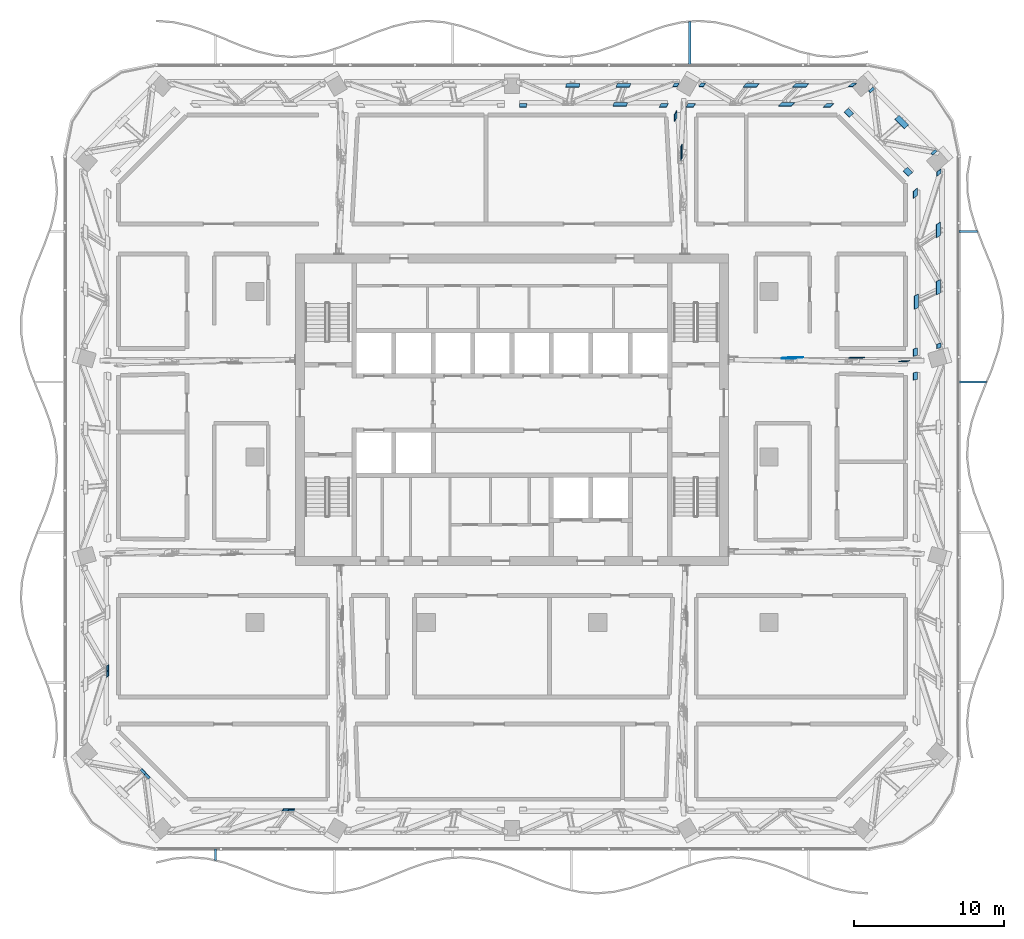
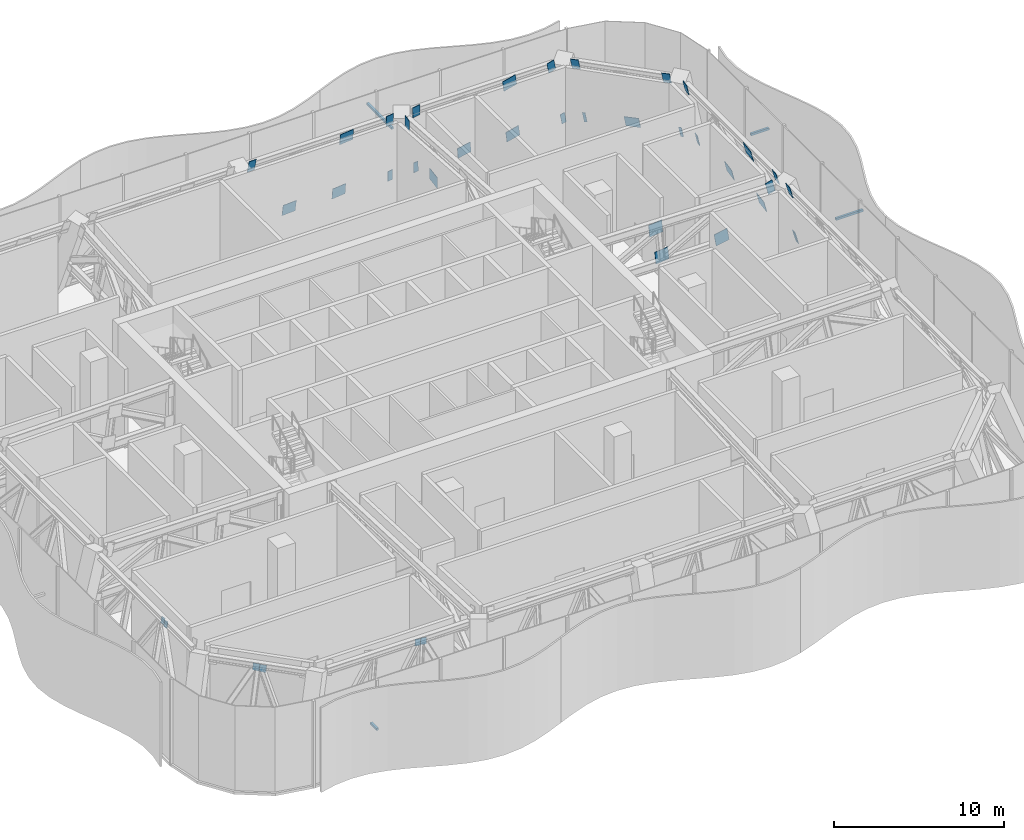
# One storey, part 18 of 29: 42 discrete accessories.
"""IFC4 building model written with IfcOpenShell, lengths in metres."""

from ifc_helpers import new_model, si_unit, direction, frame, origin, origin_2d, place, context, subcontext, project, spatial, rectangle, extrude, material, layer, layer_set, type_object, element, save


model = new_model("IFC4")

# Units and contexts
model_context = context("Model", 3, precision=1e-05, world=origin(), true_north=direction((0.0, 1.0)))
body_context = subcontext(model_context, "Body", "Model", "MODEL_VIEW")
ifc_project = project(units=[si_unit("LENGTHUNIT", "METRE"), si_unit("AREAUNIT", "SQUARE_METRE"), si_unit("VOLUMEUNIT", "CUBIC_METRE"), si_unit("PLANEANGLEUNIT", "RADIAN"), si_unit("MASSUNIT", "GRAM", prefix="KILO")], contexts=[model_context])

# Site, building, storey
site_placement = place(None, origin())
site = spatial("IfcSite", under=ifc_project, at=site_placement, CompositionType="ELEMENT")
building_placement = place(site_placement, origin())
building = spatial("IfcBuilding", under=site, at=building_placement, Name="Mopane Tessera Tower", CompositionType="ELEMENT")
storey_placement = place(building_placement, frame((0.0, 0.0, 315.39990234375)))
storey = spatial("IfcBuildingStorey", under=building, at=storey_placement, Name="L69", CompositionType="ELEMENT", Elevation=315.39990234375)

# Discrete accessories
ifc_material_1 = material(Name="Stainless steel S316", Category="steel")
discrete_accessory_type_1 = type_object("IfcDiscreteAccessoryType", Name="Louvre bracket 150 x 150", PredefinedType="BRACKET", material=ifc_material_1)
discrete_accessory_1_placement = place(storey_placement, frame((-19.708251953125, -26.431640625, 2.5400390625), z_axis=(0.0, 0.0, 1.0), x_axis=(0.0, -1.0, 0.0)))
element("IfcDiscreteAccessory", 1, at=discrete_accessory_1_placement, inside=storey, type_object=discrete_accessory_type_1, Name="e:lv:L69:S:0:br0", PredefinedType="BRACKET", context=body_context, shape_type="SweptSolid", body=[
    extrude(rectangle(XDim=0.7431640625, YDim=0.14990234375, at=origin_2d()), origin(), (0.0, 0.0, 1.0), 0.14990234375),
])
discrete_accessory_2_placement = place(storey_placement, frame((30.63232421875, 5.0, 2.5400390625), z_axis=(0.0, 0.0, 1.0), x_axis=(1.0, 0.0, 0.0)))
element("IfcDiscreteAccessory", 2, at=discrete_accessory_2_placement, inside=storey, type_object=discrete_accessory_type_1, Name="e:lv:L69:E:1:br0", PredefinedType="BRACKET", context=body_context, shape_type="SweptSolid", body=[
    extrude(rectangle(XDim=1.844482421875, YDim=0.14990234375, at=origin_2d()), origin(), (0.0, 0.0, 1.0), 0.14990234375),
])
discrete_accessory_3_placement = place(storey_placement, frame((30.326416015625, 15.0, 2.5400390625), z_axis=(0.0, 0.0, 1.0), x_axis=(1.0, 0.0, 0.0)))
element("IfcDiscreteAccessory", 3, at=discrete_accessory_3_placement, inside=storey, type_object=discrete_accessory_type_1, Name="e:lv:L69:E:1:br1", PredefinedType="BRACKET", context=body_context, shape_type="SweptSolid", body=[
    extrude(rectangle(XDim=1.23291015625, YDim=0.14990234375, at=origin_2d()), origin(), (0.0, 0.0, 1.0), 0.14990234375),
])
discrete_accessory_4_placement = place(storey_placement, frame((11.824951171875, 27.51806640625, 2.5400390625), z_axis=(0.0, 0.0, 1.0), x_axis=(0.0, 1.0, 0.0)))
element("IfcDiscreteAccessory", 4, at=discrete_accessory_4_placement, inside=storey, type_object=discrete_accessory_type_1, Name="e:lv:L69:N:0:br1", PredefinedType="BRACKET", context=body_context, shape_type="SweptSolid", body=[
    extrude(rectangle(XDim=2.916015625, YDim=0.14990234375, at=origin_2d()), origin(), (0.0, 0.0, 1.0), 0.14990234375),
])
ifc_material_2 = material(Name="Structural steel S460", Category="steel")
ifc_layer = layer(ifc_material_2, 0.030029296875)
ifc_layer_set = layer_set([ifc_layer], Name="Structural steel S460")
discrete_accessory_type_2 = type_object("IfcDiscreteAccessoryType", Name="Truss node plate 30 mm", PredefinedType="BRACKET", material=ifc_layer_set)
discrete_accessory_5_placement = place(storey_placement, frame((18.45654296875, 6.58056640625, 4.490234375), z_axis=(-0.096632009756, -0.027801946941, 0.994931809943), x_axis=(-6.1168167e-05, 0.999609970928, 0.027926730548)))
element("IfcDiscreteAccessory", 5, at=discrete_accessory_5_placement, inside=storey, type_object=discrete_accessory_type_2, Name="Truss node plate s ot L69 E2 2", PredefinedType="BRACKET", context=body_context, shape_type="SweptSolid", body=[
    extrude(rectangle(XDim=0.030029296875, YDim=0.89990234375, at=origin_2d()), origin(), (0.0, 0.0, 1.0), 0.904541015625),
])
discrete_accessory_6_placement = place(storey_placement, frame((18.913818359375, 6.639892578125, 2.35986328125), z_axis=(-0.102209777004, -0.029665106782, 0.994320442777), x_axis=(-0.002718656982, 0.999559843841, 0.029541961439)))
element("IfcDiscreteAccessory", 6, at=discrete_accessory_6_placement, inside=storey, type_object=discrete_accessory_type_2, Name="Truss node plate s ot L69 E2 3", PredefinedType="BRACKET", context=body_context, shape_type="SweptSolid", body=[
    extrude(rectangle(XDim=0.030029296875, YDim=0.89990234375, at=origin_2d()), origin(), (0.0, 0.0, 1.0), 0.9052734375),
])
discrete_accessory_7_placement = place(storey_placement, frame((22.99853515625, 6.637939453125, 2.27001953125), z_axis=(-0.191623387644, -0.055281088252, 0.979910444168), x_axis=(-0.008748177844, 0.998469035991, 0.054617337472)))
element("IfcDiscreteAccessory", 7, at=discrete_accessory_7_placement, inside=storey, type_object=discrete_accessory_type_2, Name="Truss node plate s ot L69 E2 5", PredefinedType="BRACKET", context=body_context, shape_type="SweptSolid", body=[
    extrude(rectangle(XDim=0.030029296875, YDim=0.89990234375, at=origin_2d()), origin(), (0.0, 0.0, 1.0), 0.918701171875),
])
discrete_accessory_8_placement = place(storey_placement, frame((26.20068359375, 6.417724609375, 4.89013671875), z_axis=(-0.273592050597, -0.078800752216, 0.958612451046), x_axis=(-0.019443960289, 0.996887818244, 0.076397710989)))
element("IfcDiscreteAccessory", 8, at=discrete_accessory_8_placement, inside=storey, type_object=discrete_accessory_type_2, Name="Truss node plate s ot L69 E2 7", PredefinedType="BRACKET", context=body_context, shape_type="SweptSolid", body=[
    extrude(rectangle(XDim=0.030029296875, YDim=0.489990234375, at=origin_2d()), origin(), (0.0, 0.0, 1.0), 0.938720703125),
])
discrete_accessory_9_placement = place(storey_placement, frame((11.317138671875, 20.340087890625, 2.27001953125), z_axis=(-0.095066217239, -0.164302117749, 0.981818327616), x_axis=(-0.995463010966, 0.011751262229, -0.094420874999)))
element("IfcDiscreteAccessory", 9, at=discrete_accessory_9_placement, inside=storey, type_object=discrete_accessory_type_2, Name="Truss node plate s ot L69 N1 5", PredefinedType="BRACKET", context=body_context, shape_type="SweptSolid", body=[
    extrude(rectangle(XDim=0.030029296875, YDim=0.89990234375, at=origin_2d()), origin(), (0.0, 0.0, 1.0), 0.916748046875),
])
discrete_accessory_10_placement = place(storey_placement, frame((10.9423828125, 22.775390625, 4.89013671875), z_axis=(-0.135059604978, -0.233546009381, 0.962920123689), x_axis=(-0.99082883122, 0.027774576965, -0.132237665202)))
element("IfcDiscreteAccessory", 10, at=discrete_accessory_10_placement, inside=storey, type_object=discrete_accessory_type_2, Name="Truss node plate s ot L69 N1 8", PredefinedType="BRACKET", context=body_context, shape_type="SweptSolid", body=[
    extrude(rectangle(XDim=0.030029296875, YDim=0.489990234375, at=origin_2d()), origin(), (0.0, 0.0, 1.0), 0.9345703125),
])
discrete_accessory_11_placement = place(storey_placement, frame((-15.08154296875, -23.500244140625, 4.991943359375), z_axis=(0.199037498041, 0.252579748976, 0.946883068167), x_axis=(-0.052316968433, 0.967576014632, -0.247102389149)))
element("IfcDiscreteAccessory", 11, at=discrete_accessory_11_placement, inside=storey, type_object=discrete_accessory_type_2, Name="Truss node plate s bt L69 S0-S1 4", PredefinedType="BRACKET", context=body_context, shape_type="SweptSolid", body=[
    extrude(rectangle(XDim=0.030029296875, YDim=0.397216796875, at=origin_2d()), origin(), (0.0, 0.0, 1.0), 0.41943359375),
])
discrete_accessory_12_placement = place(storey_placement, frame((-14.706298828125, -23.508544921875, 4.96044921875), z_axis=(0.194027909232, 0.252294548642, 0.947998223186), x_axis=(-0.050428084158, 0.967650471791, -0.24720350477)))
element("IfcDiscreteAccessory", 12, at=discrete_accessory_12_placement, inside=storey, type_object=discrete_accessory_type_2, Name="Truss node plate s bt L69 S0-S1 6", PredefinedType="BRACKET", context=body_context, shape_type="SweptSolid", body=[
    extrude(rectangle(XDim=0.030029296875, YDim=0.397216796875, at=origin_2d()), origin(), (0.0, 0.0, 1.0), 0.4189453125),
])
discrete_accessory_13_placement = place(storey_placement, frame((26.94482421875, 5.421875, 4.984130859375), z_axis=(-0.293952945587, -0.07394067057, 0.952955635387), x_axis=(-0.955819841025, 0.022414379027, -0.293097299741)))
element("IfcDiscreteAccessory", 13, at=discrete_accessory_13_placement, inside=storey, type_object=discrete_accessory_type_2, Name="Truss node plate s bt L69 E1-E2 7", PredefinedType="BRACKET", context=body_context, shape_type="SweptSolid", body=[
    extrude(rectangle(XDim=0.030029296875, YDim=0.489990234375, at=origin_2d()), origin(), (0.0, 0.0, 1.0), 0.9443359375),
])
discrete_accessory_14_placement = place(storey_placement, frame((28.50927734375, 7.443359375, -0.090087890625), z_axis=(-0.293441868587, -0.094458860073, 0.951298792974), x_axis=(-0.955976866944, 0.028666057055, -0.292038502668)))
element("IfcDiscreteAccessory", 14, at=discrete_accessory_14_placement, inside=storey, type_object=discrete_accessory_type_2, Name="Truss node plate s bt L69 E2-E3 0", PredefinedType="BRACKET", context=body_context, shape_type="SweptSolid", body=[
    extrude(rectangle(XDim=0.030029296875, YDim=0.307861328125, at=origin_2d()), origin(), (0.0, 0.0, 1.0), 0.946044921875),
])
discrete_accessory_15_placement = place(storey_placement, frame((26.94482421875, 7.025390625, 4.984130859375), z_axis=(-0.293413101939, -0.095481836163, 0.951205535399), x_axis=(-0.955985745609, 0.029384762405, -0.291937989872)))
element("IfcDiscreteAccessory", 15, at=discrete_accessory_15_placement, inside=storey, type_object=discrete_accessory_type_2, Name="Truss node plate s bt L69 E2-E3 1", PredefinedType="BRACKET", context=body_context, shape_type="SweptSolid", body=[
    extrude(rectangle(XDim=0.030029296875, YDim=0.489990234375, at=origin_2d()), origin(), (0.0, 0.0, 1.0), 0.946044921875),
])
discrete_accessory_16_placement = place(storey_placement, frame((27.0224609375, 10.404541015625, 4.732177734375), z_axis=(-0.291779754396, -0.140115871504, 0.946167066367), x_axis=(-0.956485529651, 0.042826238941, -0.288619723556)))
element("IfcDiscreteAccessory", 16, at=discrete_accessory_16_placement, inside=storey, type_object=discrete_accessory_type_2, Name="Truss node plate s bt L69 E2-E3 2", PredefinedType="BRACKET", context=body_context, shape_type="SweptSolid", body=[
    extrude(rectangle(XDim=0.030029296875, YDim=0.89990234375, at=origin_2d()), origin(), (0.0, 0.0, 1.0), 0.951416015625),
])
discrete_accessory_17_placement = place(storey_placement, frame((28.4765625, 11.365234375, 0.01611328125), z_axis=(-0.291712601305, -0.143418948223, 0.945692742666), x_axis=(-0.956506015789, 0.043739954569, -0.288414732867)))
element("IfcDiscreteAccessory", 17, at=discrete_accessory_17_placement, inside=storey, type_object=discrete_accessory_type_2, Name="Truss node plate s bt L69 E2-E3 3", PredefinedType="BRACKET", context=body_context, shape_type="SweptSolid", body=[
    extrude(rectangle(XDim=0.030029296875, YDim=0.89990234375, at=origin_2d()), origin(), (0.0, 0.0, 1.0), 0.95166015625),
])
discrete_accessory_18_placement = place(storey_placement, frame((28.487060546875, 15.2001953125, -0.017822265625), z_axis=(-0.28938349117, -0.190122663064, 0.938142083071), x_axis=(-0.957213231278, 0.057639221657, -0.283585172378)))
element("IfcDiscreteAccessory", 18, at=discrete_accessory_18_placement, inside=storey, type_object=discrete_accessory_type_2, Name="Truss node plate s bt L69 E2-E3 5", PredefinedType="BRACKET", context=body_context, shape_type="SweptSolid", body=[
    extrude(rectangle(XDim=0.030029296875, YDim=0.89990234375, at=origin_2d()), origin(), (0.0, 0.0, 1.0), 0.959228515625),
])
discrete_accessory_19_placement = place(storey_placement, frame((26.94482421875, 17.650146484375, 4.984130859375), z_axis=(-0.286549245447, -0.23438064931, 0.928953842321), x_axis=(-0.958065497238, 0.069917590208, -0.277888527256)))
element("IfcDiscreteAccessory", 19, at=discrete_accessory_19_placement, inside=storey, type_object=discrete_accessory_type_2, Name="Truss node plate s bt L69 E2-E3 7", PredefinedType="BRACKET", context=body_context, shape_type="SweptSolid", body=[
    extrude(rectangle(XDim=0.030029296875, YDim=0.489990234375, at=origin_2d()), origin(), (0.0, 0.0, 1.0), 0.96875),
])
discrete_accessory_20_placement = place(storey_placement, frame((28.50927734375, 19.02880859375, -0.090087890625), z_axis=(-0.286481419079, -0.235333021477, 0.928733958421), x_axis=(-0.95808575168, 0.070669707025, -0.277628321568)))
element("IfcDiscreteAccessory", 20, at=discrete_accessory_20_placement, inside=storey, type_object=discrete_accessory_type_2, Name="Truss node plate s bt L69 E2-E3 8", PredefinedType="BRACKET", context=body_context, shape_type="SweptSolid", body=[
    extrude(rectangle(XDim=0.030029296875, YDim=0.29150390625, at=origin_2d()), origin(), (0.0, 0.0, 1.0), 0.968994140625),
])
discrete_accessory_21_placement = place(storey_placement, frame((28.186279296875, 20.38232421875, -0.27294921875), z_axis=(-0.285631026332, -0.246943974392, 0.925977100315), x_axis=(-0.647377127261, -0.66272353463, -0.376431098274)))
element("IfcDiscreteAccessory", 21, at=discrete_accessory_21_placement, inside=storey, type_object=discrete_accessory_type_2, Name="Truss node plate s bt L69 E3-N0 0", PredefinedType="BRACKET", context=body_context, shape_type="SweptSolid", body=[
    extrude(rectangle(XDim=0.030029296875, YDim=0.1787109375, at=origin_2d()), origin(), (0.0, 0.0, 1.0), 0.971923828125),
])
discrete_accessory_22_placement = place(storey_placement, frame((26.455322265625, 19.090576171875, 4.984130859375), z_axis=(-0.285382567275, -0.247197575879, 0.92598604135), x_axis=(-0.646761608592, -0.6633366474, -0.376409237223)))
element("IfcDiscreteAccessory", 22, at=discrete_accessory_22_placement, inside=storey, type_object=discrete_accessory_type_2, Name="Truss node plate s bt L69 E3-N0 1", PredefinedType="BRACKET", context=body_context, shape_type="SweptSolid", body=[
    extrude(rectangle(XDim=0.030029296875, YDim=0.489990234375, at=origin_2d()), origin(), (0.0, 0.0, 1.0), 0.971923828125),
])
discrete_accessory_23_placement = place(storey_placement, frame((26.036376953125, 22.3857421875, -0.017822265625), z_axis=(-0.285631026332, -0.246943974392, 0.925977100315), x_axis=(-0.647377127261, -0.66272353463, -0.376431098274)))
element("IfcDiscreteAccessory", 23, at=discrete_accessory_23_placement, inside=storey, type_object=discrete_accessory_type_2, Name="Truss node plate s bt L69 E3-N0 3", PredefinedType="BRACKET", context=body_context, shape_type="SweptSolid", body=[
    extrude(rectangle(XDim=0.030029296875, YDim=0.89990234375, at=origin_2d()), origin(), (0.0, 0.0, 1.0), 0.971923828125),
])
discrete_accessory_24_placement = place(storey_placement, frame((24.043701171875, 24.52490234375, -0.27294921875), z_axis=(-0.285631026332, -0.246943974392, 0.925977100315), x_axis=(-0.647377127261, -0.66272353463, -0.376431098274)))
element("IfcDiscreteAccessory", 24, at=discrete_accessory_24_placement, inside=storey, type_object=discrete_accessory_type_2, Name="Truss node plate s bt L69 E3-N0 5", PredefinedType="BRACKET", context=body_context, shape_type="SweptSolid", body=[
    extrude(rectangle(XDim=0.030029296875, YDim=0.1787109375, at=origin_2d()), origin(), (0.0, 0.0, 1.0), 0.971923828125),
])
discrete_accessory_25_placement = place(storey_placement, frame((22.532958984375, 23.012939453125, 4.984130859375), z_axis=(-0.285631026332, -0.246943974392, 0.925977100315), x_axis=(-0.647377127261, -0.66272353463, -0.376431098274)))
element("IfcDiscreteAccessory", 25, at=discrete_accessory_25_placement, inside=storey, type_object=discrete_accessory_type_2, Name="Truss node plate s bt L69 E3-N0 6", PredefinedType="BRACKET", context=body_context, shape_type="SweptSolid", body=[
    extrude(rectangle(XDim=0.030029296875, YDim=0.489990234375, at=origin_2d()), origin(), (0.0, 0.0, 1.0), 0.971923828125),
])
discrete_accessory_26_placement = place(storey_placement, frame((22.768310546875, 24.857177734375, -0.096435546875), z_axis=(-0.275134362275, -0.247671316957, 0.928956404495), x_axis=(0.070679810645, -0.968844051852, -0.237372213113)))
element("IfcDiscreteAccessory", 26, at=discrete_accessory_26_placement, inside=storey, type_object=discrete_accessory_type_2, Name="Truss node plate s bt L69 N0-N1 0", PredefinedType="BRACKET", context=body_context, shape_type="SweptSolid", body=[
    extrude(rectangle(XDim=0.030029296875, YDim=0.309326171875, at=origin_2d()), origin(), (0.0, 0.0, 1.0), 0.968994140625),
])
discrete_accessory_27_placement = place(storey_placement, frame((21.177734375, 23.50244140625, 4.984130859375), z_axis=(-0.274499772377, -0.247780786268, 0.92911493203), x_axis=(0.069903971838, -0.968816076177, -0.237715891902)))
element("IfcDiscreteAccessory", 27, at=discrete_accessory_27_placement, inside=storey, type_object=discrete_accessory_type_2, Name="Truss node plate s bt L69 N0-N1 1", PredefinedType="BRACKET", context=body_context, shape_type="SweptSolid", body=[
    extrude(rectangle(XDim=0.030029296875, YDim=0.489990234375, at=origin_2d()), origin(), (0.0, 0.0, 1.0), 0.968505859375),
])
discrete_accessory_28_placement = place(storey_placement, frame((18.373046875, 23.56787109375, 4.738525390625), z_axis=(-0.239433700375, -0.250120433017, 0.938142458325), x_axis=(0.061879097082, -0.968214732548, -0.242345226943)))
element("IfcDiscreteAccessory", 28, at=discrete_accessory_28_placement, inside=storey, type_object=discrete_accessory_type_2, Name="Truss node plate s bt L69 N0-N1 2", PredefinedType="BRACKET", context=body_context, shape_type="SweptSolid", body=[
    extrude(rectangle(XDim=0.030029296875, YDim=0.89990234375, at=origin_2d()), origin(), (0.0, 0.0, 1.0), 0.95947265625),
])
discrete_accessory_29_placement = place(storey_placement, frame((19.3076171875, 24.828857421875, 0.009521484375), z_axis=(-0.236311841113, -0.250317392041, 0.938881204941), x_axis=(0.061067973363, -0.968163830319, -0.2427539913)))
element("IfcDiscreteAccessory", 29, at=discrete_accessory_29_placement, inside=storey, type_object=discrete_accessory_type_2, Name="Truss node plate s bt L69 N0-N1 3", PredefinedType="BRACKET", context=body_context, shape_type="SweptSolid", body=[
    extrude(rectangle(XDim=0.030029296875, YDim=0.89990234375, at=origin_2d()), origin(), (0.0, 0.0, 1.0), 0.958740234375),
])
discrete_accessory_30_placement = place(storey_placement, frame((15.998046875, 24.836181640625, -0.017822265625), z_axis=(-0.19760708513, -0.252597873449, 0.947177783859), x_axis=(0.051334548911, -0.967571315999, -0.24732673237)))
element("IfcDiscreteAccessory", 30, at=discrete_accessory_30_placement, inside=storey, type_object=discrete_accessory_type_2, Name="Truss node plate s bt L69 N0-N1 5", PredefinedType="BRACKET", context=body_context, shape_type="SweptSolid", body=[
    extrude(rectangle(XDim=0.030029296875, YDim=0.89990234375, at=origin_2d()), origin(), (0.0, 0.0, 1.0), 0.9501953125),
])
discrete_accessory_31_placement = place(storey_placement, frame((11.9609375, 23.50244140625, 4.984130859375), z_axis=(-0.159158218115, -0.254394355133, 0.953914133286), x_axis=(0.041685274756, -0.967100553491, -0.25095588717)))
element("IfcDiscreteAccessory", 31, at=discrete_accessory_31_placement, inside=storey, type_object=discrete_accessory_type_2, Name="Truss node plate s bt L69 N0-N1 7", PredefinedType="BRACKET", context=body_context, shape_type="SweptSolid", body=[
    extrude(rectangle(XDim=0.030029296875, YDim=0.489990234375, at=origin_2d()), origin(), (0.0, 0.0, 1.0), 0.943359375),
])
discrete_accessory_32_placement = place(storey_placement, frame((12.71875, 24.857177734375, -0.096435546875), z_axis=(-0.158109970765, -0.254373324487, 0.954094046169), x_axis=(0.041191599282, -0.967106023979, -0.251016315273)))
element("IfcDiscreteAccessory", 32, at=discrete_accessory_32_placement, inside=storey, type_object=discrete_accessory_type_2, Name="Truss node plate s bt L69 N0-N1 8", PredefinedType="BRACKET", context=body_context, shape_type="SweptSolid", body=[
    extrude(rectangle(XDim=0.030029296875, YDim=0.311767578125, at=origin_2d()), origin(), (0.0, 0.0, 1.0), 0.943359375),
])
discrete_accessory_33_placement = place(storey_placement, frame((10.961669921875, 24.85693359375, -0.095458984375), z_axis=(-0.136845666594, -0.255254820231, 0.957140658568), x_axis=(0.035428208449, -0.966873575277, -0.252785148846)))
element("IfcDiscreteAccessory", 33, at=discrete_accessory_33_placement, inside=storey, type_object=discrete_accessory_type_2, Name="Truss node plate s bt L69 N1-N2 0", PredefinedType="BRACKET", context=body_context, shape_type="SweptSolid", body=[
    extrude(rectangle(XDim=0.030029296875, YDim=0.310302734375, at=origin_2d()), origin(), (0.0, 0.0, 1.0), 0.940185546875),
])
discrete_accessory_34_placement = place(storey_placement, frame((10.152099609375, 23.50244140625, 4.984130859375), z_axis=(-0.135316340697, -0.255308949914, 0.957343631114), x_axis=(0.036396276578, -0.966859306663, -0.252702180779)))
element("IfcDiscreteAccessory", 34, at=discrete_accessory_34_placement, inside=storey, type_object=discrete_accessory_type_2, Name="Truss node plate s bt L69 N1-N2 1", PredefinedType="BRACKET", context=body_context, shape_type="SweptSolid", body=[
    extrude(rectangle(XDim=0.030029296875, YDim=0.489990234375, at=origin_2d()), origin(), (0.0, 0.0, 1.0), 0.93994140625),
])
discrete_accessory_35_placement = place(storey_placement, frame((7.242919921875, 23.568115234375, 4.737548828125), z_axis=(-0.096771234262, -0.256404644959, 0.961713047776), x_axis=(0.025676651051, -0.966569530872, -0.255115761136)))
element("IfcDiscreteAccessory", 35, at=discrete_accessory_35_placement, inside=storey, type_object=discrete_accessory_type_2, Name="Truss node plate s bt L69 N1-N2 2", PredefinedType="BRACKET", context=body_context, shape_type="SweptSolid", body=[
    extrude(rectangle(XDim=0.030029296875, YDim=0.89990234375, at=origin_2d()), origin(), (0.0, 0.0, 1.0), 0.93603515625),
])
discrete_accessory_36_placement = place(storey_placement, frame((7.447509765625, 24.82861328125, 0.010498046875), z_axis=(-0.093410448212, -0.256487348023, 0.962023247364), x_axis=(0.024760694494, -0.966547587867, -0.255289381677)))
element("IfcDiscreteAccessory", 36, at=discrete_accessory_36_placement, inside=storey, type_object=discrete_accessory_type_2, Name="Truss node plate s bt L69 N1-N2 3", PredefinedType="BRACKET", context=body_context, shape_type="SweptSolid", body=[
    extrude(rectangle(XDim=0.030029296875, YDim=0.89990234375, at=origin_2d()), origin(), (0.0, 0.0, 1.0), 0.935791015625),
])
discrete_accessory_37_placement = place(storey_placement, frame((4.062255859375, 24.836181640625, -0.017822265625), z_axis=(-0.051310832751, -0.257339533643, 0.964957803672), x_axis=(0.012831236184, -0.966320709822, -0.257020709567)))
element("IfcDiscreteAccessory", 37, at=discrete_accessory_37_placement, inside=storey, type_object=discrete_accessory_type_2, Name="Truss node plate s bt L69 N1-N2 5", PredefinedType="BRACKET", context=body_context, shape_type="SweptSolid", body=[
    extrude(rectangle(XDim=0.030029296875, YDim=0.89990234375, at=origin_2d()), origin(), (0.0, 0.0, 1.0), 0.9326171875),
])
discrete_accessory_38_placement = place(storey_placement, frame((0.737060546875, 23.50244140625, 4.984130859375), z_axis=(-0.009960645933, -0.257666182939, 0.966182655455), x_axis=(0.002534652791, -0.966233990487, -0.257653742768)))
element("IfcDiscreteAccessory", 38, at=discrete_accessory_38_placement, inside=storey, type_object=discrete_accessory_type_2, Name="Truss node plate s bt L69 N1-N2 7", PredefinedType="BRACKET", context=body_context, shape_type="SweptSolid", body=[
    extrude(rectangle(XDim=0.030029296875, YDim=0.489990234375, at=origin_2d()), origin(), (0.0, 0.0, 1.0), 0.931396484375),
])
discrete_accessory_39_placement = place(storey_placement, frame((-26.94189453125, -14.0615234375, 4.9931640625), z_axis=(0.289239663262, 0.188425838723, 0.93852869988), x_axis=(0.957256710298, -0.057024133919, -0.283562759791)))
element("IfcDiscreteAccessory", 39, at=discrete_accessory_39_placement, inside=storey, type_object=discrete_accessory_type_2, Name="Truss node plate s bt L69 W2-W3 4", PredefinedType="BRACKET", context=body_context, shape_type="SweptSolid", body=[
    extrude(rectangle(XDim=0.030029296875, YDim=0.3818359375, at=origin_2d()), origin(), (0.0, 0.0, 1.0), 0.40673828125),
])
discrete_accessory_40_placement = place(storey_placement, frame((-26.95361328125, -14.43603515625, 4.95556640625), z_axis=(0.288975056893, 0.193049726804, 0.937670101621), x_axis=(0.957336556824, -0.05864642504, -0.282961682562)))
element("IfcDiscreteAccessory", 40, at=discrete_accessory_40_placement, inside=storey, type_object=discrete_accessory_type_2, Name="Truss node plate s bt L69 W2-W3 6", PredefinedType="BRACKET", context=body_context, shape_type="SweptSolid", body=[
    extrude(rectangle(XDim=0.030029296875, YDim=0.3818359375, at=origin_2d()), origin(), (0.0, 0.0, 1.0), 0.4072265625),
])
discrete_accessory_41_placement = place(storey_placement, frame((-24.5908203125, -20.951416015625, 4.990234375), z_axis=(0.285097910147, 0.246900326069, 0.926153016848), x_axis=(0.646954819726, 0.663379929268, -0.376000705686)))
element("IfcDiscreteAccessory", 41, at=discrete_accessory_41_placement, inside=storey, type_object=discrete_accessory_type_2, Name="Truss node plate s bt L69 W3-S0 2", PredefinedType="BRACKET", context=body_context, shape_type="SweptSolid", body=[
    extrude(rectangle(XDim=0.030029296875, YDim=0.408447265625, at=origin_2d()), origin(), (0.0, 0.0, 1.0), 0.44091796875),
])
discrete_accessory_42_placement = place(storey_placement, frame((-24.30224609375, -21.253662109375, 4.966552734375), z_axis=(0.285606381772, 0.246861329981, 0.9260067378), x_axis=(0.647480934435, 0.662663279889, -0.376358628212)))
element("IfcDiscreteAccessory", 42, at=discrete_accessory_42_placement, inside=storey, type_object=discrete_accessory_type_2, Name="Truss node plate s bt L69 W3-S0 4", PredefinedType="BRACKET", context=body_context, shape_type="SweptSolid", body=[
    extrude(rectangle(XDim=0.030029296875, YDim=0.408447265625, at=origin_2d()), origin(), (0.0, 0.0, 1.0), 0.441162109375),
])

save(model, "model.ifc")
